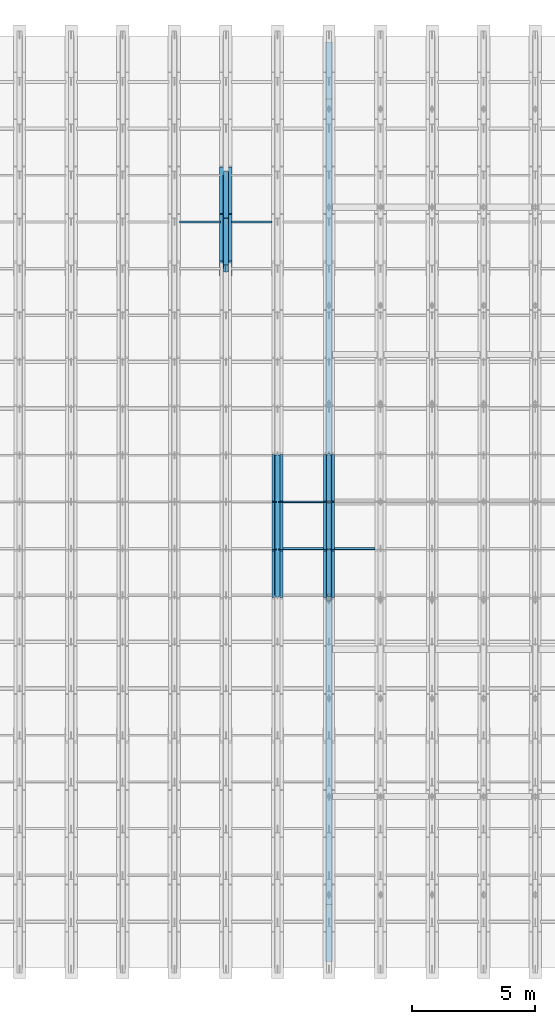
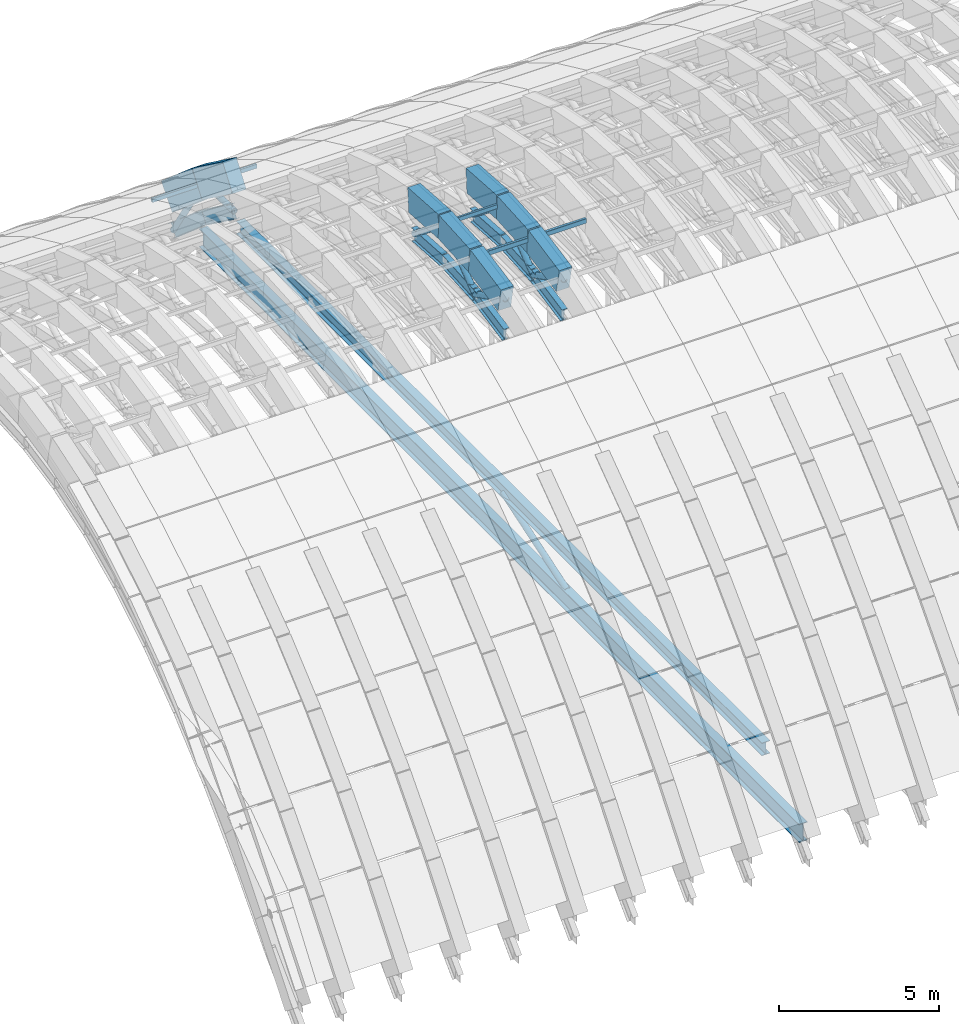
# One storey, part 15 of 67: 18 beams, 14 members.
"""IFC4 building model written with IfcOpenShell, lengths in metres."""

from ifc_helpers import new_model, si_unit, direction, frame, origin, origin_2d, place, context, subcontext, project, spatial, rectangle, hollow_rectangle, hollow_circle, i_section, extrude, material, material_profile, profile_set, type_object, element, save


model = new_model("IFC4")

# Units and contexts
model_context = context("Model", 3, precision=1e-05, world=origin(), true_north=direction((0.0, 1.0)))
body_context = subcontext(model_context, "Body", "Model", "MODEL_VIEW")
ifc_project = project(units=[si_unit("LENGTHUNIT", "METRE"), si_unit("AREAUNIT", "SQUARE_METRE"), si_unit("VOLUMEUNIT", "CUBIC_METRE"), si_unit("PLANEANGLEUNIT", "RADIAN"), si_unit("MASSUNIT", "GRAM", prefix="KILO")], contexts=[model_context])

# Site, building, storey
site_placement = place(None, origin())
site = spatial("IfcSite", under=ifc_project, at=site_placement, CompositionType="ELEMENT")
building_placement = place(site_placement, origin())
building = spatial("IfcBuilding", under=site, at=building_placement, Name="Shengluoqiao Park Theatre", CompositionType="ELEMENT")
storey_placement = place(building_placement, frame((0.0, 0.0, 28.60009765625)))
storey = spatial("IfcBuildingStorey", under=building, at=storey_placement, Name="Roof", CompositionType="ELEMENT", Elevation=28.60009765625)

# Beams
ifc_material_1 = material(Name="Concrete C50", Category="concrete")
ifc_material_profile_1 = material_profile(ifc_material_1, rectangle(XDim=0.4599609375, YDim=0.919921875, at=origin_2d()), Name="RC ARCH 460x920")
ifc_profile_set_1 = profile_set([ifc_material_profile_1], Name="Concrete C50")
beam_type_1 = type_object("IfcBeamType", Name="STR-BM-AR-4609", PredefinedType="BEAM", material=ifc_profile_set_1)
beam_1_placement = place(storey_placement, frame((61.199951171875, 91.199951171875, 2.075927734375), z_axis=(0.0, 0.980788534345, 0.195073962632), x_axis=(-1.0, 0.0, 0.0)))
element("IfcBeam", 1, at=beam_1_placement, inside=storey, type_object=beam_type_1, Name="Barrel-Shell Arch Rib R09-S09", PredefinedType="BEAM", context=body_context, shape_type="SweptSolid", body=[
    extrude(rectangle(XDim=0.4599609375, YDim=0.919921875, at=origin_2d()), origin(), (0.0, 0.0, 1.0), 1.937255859375),
])
for number, where, z_axis, x_axis, name in (
    (2, (61.199951171875, 93.10009765625, 2.453857421875), (0.0, 0.997808922354, 0.066161578506), (-1.0, 0.0, 0.0), "Barrel-Shell Arch Rib R09-S10"),
    (3, (61.199951171875, 95.0, 2.579833984375), (0.0, 0.997808922354, -0.066161578506), (-1.0, 0.0, 0.0), "Barrel-Shell Arch Rib R09-S11"),
):
    element("IfcBeam", number, at=place(storey_placement, frame(where, z_axis=z_axis, x_axis=x_axis)), inside=storey, type_object=beam_type_1, Name=name, PredefinedType="BEAM", context=body_context, shape_type="SweptSolid", body=[
        extrude(rectangle(XDim=0.4599609375, YDim=0.919921875, at=origin_2d()), origin(), (0.0, 0.0, 1.0), 1.904052734375),
    ])
beam_2_placement = place(storey_placement, frame((63.300048828125, 91.199951171875, 2.075927734375), z_axis=(0.0, 0.980788534345, 0.195073962632), x_axis=(-1.0, 0.0, 0.0)))
element("IfcBeam", 4, at=beam_2_placement, inside=storey, type_object=beam_type_1, Name="Barrel-Shell Arch Rib R10-S09", PredefinedType="BEAM", context=body_context, shape_type="SweptSolid", body=[
    extrude(rectangle(XDim=0.4599609375, YDim=0.919921875, at=origin_2d()), origin(), (0.0, 0.0, 1.0), 1.937255859375),
])
for number, where, z_axis, x_axis, name in (
    (5, (63.300048828125, 93.10009765625, 2.453857421875), (0.0, 0.997808922354, 0.066161578506), (-1.0, 0.0, 0.0), "Barrel-Shell Arch Rib R10-S10"),
    (6, (63.300048828125, 95.0, 2.579833984375), (0.0, 0.997808922354, -0.066161578506), (-1.0, 0.0, 0.0), "Barrel-Shell Arch Rib R10-S11"),
):
    element("IfcBeam", number, at=place(storey_placement, frame(where, z_axis=z_axis, x_axis=x_axis)), inside=storey, type_object=beam_type_1, Name=name, PredefinedType="BEAM", context=body_context, shape_type="SweptSolid", body=[
        extrude(rectangle(XDim=0.4599609375, YDim=0.919921875, at=origin_2d()), origin(), (0.0, 0.0, 1.0), 1.904052734375),
    ])
ifc_material_profile_2 = material_profile(ifc_material_1, rectangle(XDim=0.5, YDim=1.050048828125, at=origin_2d()), Name="RC ARCH 500x1050")
ifc_profile_set_2 = profile_set([ifc_material_profile_2], Name="Concrete C50")
beam_type_2 = type_object("IfcBeamType", Name="STR-BM-AR-5010", PredefinedType="BEAM", material=ifc_profile_set_2)
beam_3_placement = place(storey_placement, frame((59.10009765625, 104.5, -0.570068359375), z_axis=(0.0, 0.807877780345, -0.589350058985), x_axis=(-1.0, 0.0, 0.0)))
element("IfcBeam", 7, at=beam_3_placement, inside=storey, type_object=beam_type_2, Name="Barrel-Shell Arch Rib R08-S16", PredefinedType="BEAM", context=body_context, shape_type="SweptSolid", body=[
    extrude(rectangle(XDim=0.5, YDim=1.050048828125, at=origin_2d()), origin(), (0.0, 0.0, 1.0), 2.351806640625),
])
beam_4_placement = place(storey_placement, frame((59.10009765625, 106.39990234375, -1.9560546875), z_axis=(0.0, 0.757433195517, -0.652912669757), x_axis=(-1.0, 0.0, 0.0)))
element("IfcBeam", 8, at=beam_4_placement, inside=storey, type_object=beam_type_2, Name="Barrel-Shell Arch Rib R08-S17", PredefinedType="BEAM", context=body_context, shape_type="SweptSolid", body=[
    extrude(rectangle(XDim=0.5, YDim=1.050048828125, at=origin_2d()), origin(), (0.0, 0.0, 1.0), 2.508544921875),
])
ifc_material_2 = material(Name="Steel Q355", Category="steel")
ifc_material_profile_3 = material_profile(ifc_material_2, i_section(OverallWidth=0.300048828125, OverallDepth=0.488037109375, WebThickness=0.010986328125, FlangeThickness=0.01806640625, FilletRadius=0.02197265625, at=origin_2d()), Name="HM 488x300x11x18")
ifc_profile_set_3 = profile_set([ifc_material_profile_3], Name="Steel Q355")
beam_type_3 = type_object("IfcBeamType", Name="STR-BM-G-HM488", PredefinedType="BEAM", material=ifc_profile_set_3)
beam_5_placement = place(storey_placement, frame((63.300048828125, 78.60009765625, -8.150146484375), z_axis=(0.0, 1.0, 0.0), x_axis=(-1.0, 0.0, 0.0)))
element("IfcBeam", 9, at=beam_5_placement, inside=storey, type_object=beam_type_3, Name="Barrel-Shell Acoustic Tie Truss Top Chord 10", PredefinedType="BEAM", context=body_context, shape_type="SweptSolid", body=[
    extrude(i_section(OverallWidth=0.300048828125, OverallDepth=0.488037109375, WebThickness=0.010986328125, FlangeThickness=0.01806640625, FilletRadius=0.02197265625, at=origin_2d()), origin(), (0.0, 0.0, 1.0), 32.7998046875),
])
ifc_material_3 = material(Name="Steel Q390", Category="steel")
ifc_material_profile_4 = material_profile(ifc_material_3, i_section(OverallWidth=0.300048828125, OverallDepth=0.699951171875, WebThickness=0.012939453125, FlangeThickness=0.02392578125, FilletRadius=0.02392578125, at=origin_2d()), Name="HN 700x300x13x24")
ifc_profile_set_4 = profile_set([ifc_material_profile_4], Name="Steel Q390")
beam_type_4 = type_object("IfcBeamType", Name="STR-BM-G-HN700", PredefinedType="BEAM", material=ifc_profile_set_4)
beam_6_placement = place(storey_placement, frame((63.300048828125, 76.280029296875, -9.9501953125), z_axis=(0.0, 1.0, 0.0), x_axis=(-1.0, 0.0, 0.0)))
element("IfcBeam", 10, at=beam_6_placement, inside=storey, type_object=beam_type_4, Name="Barrel-Shell Acoustic Tie Truss Bottom Chord 10", PredefinedType="BEAM", context=body_context, shape_type="SweptSolid", body=[
    extrude(i_section(OverallWidth=0.300048828125, OverallDepth=0.699951171875, WebThickness=0.012939453125, FlangeThickness=0.02392578125, FilletRadius=0.02392578125, at=origin_2d()), origin(), (0.0, 0.0, 1.0), 37.43994140625),
])
ifc_material_profile_5 = material_profile(ifc_material_2, i_section(OverallWidth=0.199951171875, OverallDepth=0.5, WebThickness=0.010009765625, FlangeThickness=0.01611328125, FilletRadius=0.01806640625, at=origin_2d()), Name="HN 500x200x10x16")
ifc_profile_set_5 = profile_set([ifc_material_profile_5], Name="Steel Q355")
beam_type_5 = type_object("IfcBeamType", Name="STR-BM-J-HN500", PredefinedType="JOIST", material=ifc_profile_set_5)
beam_7_placement = place(storey_placement, frame((59.10009765625, 104.5, -1.93017578125), z_axis=(0.0, 0.807877780345, -0.589350058985), x_axis=(-1.0, 0.0, 0.0)))
element("IfcBeam", 11, at=beam_7_placement, inside=storey, type_object=beam_type_5, Name="Barrel-Shell Lower Arch Chord R08-S16", PredefinedType="JOIST", context=body_context, shape_type="SweptSolid", body=[
    extrude(i_section(OverallWidth=0.199951171875, OverallDepth=0.5, WebThickness=0.010009765625, FlangeThickness=0.01611328125, FilletRadius=0.01806640625, at=origin_2d()), origin(), (0.0, 0.0, 1.0), 2.351806640625),
])
beam_8_placement = place(storey_placement, frame((59.10009765625, 106.39990234375, -3.316162109375), z_axis=(0.0, 0.757433195517, -0.652912669757), x_axis=(-1.0, 0.0, 0.0)))
element("IfcBeam", 12, at=beam_8_placement, inside=storey, type_object=beam_type_5, Name="Barrel-Shell Lower Arch Chord R08-S17", PredefinedType="JOIST", context=body_context, shape_type="SweptSolid", body=[
    extrude(i_section(OverallWidth=0.199951171875, OverallDepth=0.5, WebThickness=0.010009765625, FlangeThickness=0.01611328125, FilletRadius=0.01806640625, at=origin_2d()), origin(), (0.0, 0.0, 1.0), 2.508544921875),
])
beam_9_placement = place(storey_placement, frame((61.199951171875, 91.199951171875, 0.7158203125), z_axis=(0.0, 0.980764417124, 0.19519517951), x_axis=(-1.0, 0.0, 0.0)))
element("IfcBeam", 13, at=beam_9_placement, inside=storey, type_object=beam_type_5, Name="Barrel-Shell Lower Arch Chord R09-S09", PredefinedType="JOIST", context=body_context, shape_type="SweptSolid", body=[
    extrude(i_section(OverallWidth=0.199951171875, OverallDepth=0.5, WebThickness=0.010009765625, FlangeThickness=0.01611328125, FilletRadius=0.01806640625, at=origin_2d()), origin(), (0.0, 0.0, 1.0), 1.9375),
])
for number, where, z_axis, x_axis, name in (
    (14, (61.199951171875, 93.10009765625, 1.093994140625), (0.0, 0.997808922354, 0.066161578506), (-1.0, 0.0, 0.0), "Barrel-Shell Lower Arch Chord R09-S10"),
    (15, (61.199951171875, 95.0, 1.219970703125), (0.0, 0.997808922354, -0.066161578506), (-1.0, 0.0, 0.0), "Barrel-Shell Lower Arch Chord R09-S11"),
):
    element("IfcBeam", number, at=place(storey_placement, frame(where, z_axis=z_axis, x_axis=x_axis)), inside=storey, type_object=beam_type_5, Name=name, PredefinedType="JOIST", context=body_context, shape_type="SweptSolid", body=[
        extrude(i_section(OverallWidth=0.199951171875, OverallDepth=0.5, WebThickness=0.010009765625, FlangeThickness=0.01611328125, FilletRadius=0.01806640625, at=origin_2d()), origin(), (0.0, 0.0, 1.0), 1.904052734375),
    ])
beam_10_placement = place(storey_placement, frame((63.300048828125, 91.199951171875, 0.7158203125), z_axis=(0.0, 0.980764417124, 0.19519517951), x_axis=(-1.0, 0.0, 0.0)))
element("IfcBeam", 16, at=beam_10_placement, inside=storey, type_object=beam_type_5, Name="Barrel-Shell Lower Arch Chord R10-S09", PredefinedType="JOIST", context=body_context, shape_type="SweptSolid", body=[
    extrude(i_section(OverallWidth=0.199951171875, OverallDepth=0.5, WebThickness=0.010009765625, FlangeThickness=0.01611328125, FilletRadius=0.01806640625, at=origin_2d()), origin(), (0.0, 0.0, 1.0), 1.9375),
])
for number, where, z_axis, x_axis, name in (
    (17, (63.300048828125, 93.10009765625, 1.093994140625), (0.0, 0.997808922354, 0.066161578506), (-1.0, 0.0, 0.0), "Barrel-Shell Lower Arch Chord R10-S10"),
    (18, (63.300048828125, 95.0, 1.219970703125), (0.0, 0.997808922354, -0.066161578506), (-1.0, 0.0, 0.0), "Barrel-Shell Lower Arch Chord R10-S11"),
):
    element("IfcBeam", number, at=place(storey_placement, frame(where, z_axis=z_axis, x_axis=x_axis)), inside=storey, type_object=beam_type_5, Name=name, PredefinedType="JOIST", context=body_context, shape_type="SweptSolid", body=[
        extrude(i_section(OverallWidth=0.199951171875, OverallDepth=0.5, WebThickness=0.010009765625, FlangeThickness=0.01611328125, FilletRadius=0.01806640625, at=origin_2d()), origin(), (0.0, 0.0, 1.0), 1.904052734375),
    ])

# Members
ifc_material_profile_6 = material_profile(ifc_material_2, hollow_circle(Radius=0.109619140625, WallThickness=0.010009765625, at=origin_2d()), Name="CHS 219x10")
ifc_profile_set_6 = profile_set([ifc_material_profile_6], Name="Steel Q355")
member_type_1 = type_object("IfcMemberType", Name="STR-MEM-BRC-219", PredefinedType="BRACE", material=ifc_profile_set_6)
member_1_placement = place(storey_placement, frame((59.10009765625, 104.5, -1.93017578125), z_axis=(0.0, 0.999907244674, -0.013619913639), x_axis=(-1.0, 0.0, 0.0)))
element("IfcMember", 19, at=member_1_placement, inside=storey, type_object=member_type_1, Name="Barrel-Shell Arch Truss Web 0156", PredefinedType="BRACE", context=body_context, shape_type="SweptSolid", body=[
    extrude(hollow_circle(Radius=0.109619140625, WallThickness=0.010009765625, at=origin_2d()), origin(), (0.0, 0.0, 1.0), 1.900146484375),
])
member_2_placement = place(storey_placement, frame((59.10009765625, 106.39990234375, -1.9560546875), z_axis=(0.0, 0.535330234694, -0.844642847494), x_axis=(-1.0, 0.0, 0.0)))
element("IfcMember", 20, at=member_2_placement, inside=storey, type_object=member_type_1, Name="Barrel-Shell Arch Truss Web 0157", PredefinedType="BRACE", context=body_context, shape_type="SweptSolid", body=[
    extrude(hollow_circle(Radius=0.109619140625, WallThickness=0.010009765625, at=origin_2d()), origin(), (0.0, 0.0, 1.0), 3.549560546875),
])
member_3_placement = place(storey_placement, frame((61.199951171875, 91.199951171875, 2.075927734375), z_axis=(0.0, 0.888389440766, -0.459090624535), x_axis=(-1.0, 0.0, 0.0)))
element("IfcMember", 21, at=member_3_placement, inside=storey, type_object=member_type_1, Name="Barrel-Shell Arch Truss Web 0169", PredefinedType="BRACE", context=body_context, shape_type="SweptSolid", body=[
    extrude(hollow_circle(Radius=0.109619140625, WallThickness=0.010009765625, at=origin_2d()), origin(), (0.0, 0.0, 1.0), 2.138916015625),
])
for number, where, z_axis, x_axis, name in (
    (22, (61.199951171875, 93.10009765625, 1.093994140625), (0.0, 0.787714283449, 0.616040751615), (-1.0, 0.0, 0.0), "Barrel-Shell Arch Truss Web 0170"),
    (23, (61.199951171875, 95.0, 2.579833984375), (0.0, 0.787714283449, -0.616040751615), (-1.0, 0.0, 0.0), "Barrel-Shell Arch Truss Web 0171"),
):
    element("IfcMember", number, at=place(storey_placement, frame(where, z_axis=z_axis, x_axis=x_axis)), inside=storey, type_object=member_type_1, Name=name, PredefinedType="BRACE", context=body_context, shape_type="SweptSolid", body=[
        extrude(hollow_circle(Radius=0.109619140625, WallThickness=0.010009765625, at=origin_2d()), origin(), (0.0, 0.0, 1.0), 2.411865234375),
    ])
member_4_placement = place(storey_placement, frame((63.300048828125, 91.199951171875, 2.075927734375), z_axis=(0.0, 0.888389440766, -0.459090624535), x_axis=(-1.0, 0.0, 0.0)))
element("IfcMember", 24, at=member_4_placement, inside=storey, type_object=member_type_1, Name="Barrel-Shell Arch Truss Web 0189", PredefinedType="BRACE", context=body_context, shape_type="SweptSolid", body=[
    extrude(hollow_circle(Radius=0.109619140625, WallThickness=0.010009765625, at=origin_2d()), origin(), (0.0, 0.0, 1.0), 2.138916015625),
])
for number, where, z_axis, x_axis, name in (
    (25, (63.300048828125, 93.10009765625, 1.093994140625), (0.0, 0.787714283449, 0.616040751615), (-1.0, 0.0, 0.0), "Barrel-Shell Arch Truss Web 0190"),
    (26, (63.300048828125, 95.0, 2.579833984375), (0.0, 0.787714283449, -0.616040751615), (-1.0, 0.0, 0.0), "Barrel-Shell Arch Truss Web 0191"),
):
    element("IfcMember", number, at=place(storey_placement, frame(where, z_axis=z_axis, x_axis=x_axis)), inside=storey, type_object=member_type_1, Name=name, PredefinedType="BRACE", context=body_context, shape_type="SweptSolid", body=[
        extrude(hollow_circle(Radius=0.109619140625, WallThickness=0.010009765625, at=origin_2d()), origin(), (0.0, 0.0, 1.0), 2.411865234375),
    ])
member_5_placement = place(storey_placement, frame((63.300048828125, 91.0, -9.650146484375), z_axis=(0.0, 0.951030656115, 0.309096572498), x_axis=(-1.0, 0.0, 0.0)))
element("IfcMember", 27, at=member_5_placement, inside=storey, type_object=member_type_1, Name="Acoustic Tie Truss Diagonal 0013", PredefinedType="BRACE", context=body_context, shape_type="SweptSolid", body=[
    extrude(hollow_circle(Radius=0.109619140625, WallThickness=0.010009765625, at=origin_2d()), origin(), (0.0, 0.0, 1.0), 4.2060546875),
])
ifc_material_profile_7 = material_profile(ifc_material_2, hollow_rectangle(XDim=0.080078125, YDim=0.159912109375, WallThickness=0.006103515625, InnerFilletRadius=0.006103515625, OuterFilletRadius=0.011962890625, at=origin_2d()), Name="RHS 160x80x6")
ifc_profile_set_7 = profile_set([ifc_material_profile_7], Name="Steel Q355")
member_type_2 = type_object("IfcMemberType", Name="STR-MEM-PU-R160", PredefinedType="PURLIN", material=ifc_profile_set_7)
for number, where, z_axis, x_axis, name in (
    (28, (57.219970703125, 106.39990234375, -2.006103515625), (1.0, 0.0, 0.0), (0.0, 1.0, 0.0), "Shell Longitudinal Purlin 0130"),
    (29, (59.320068359375, 106.39990234375, -2.006103515625), (1.0, 0.0, 0.0), (0.0, 1.0, 0.0), "Shell Longitudinal Purlin 0149"),
):
    element("IfcMember", number, at=place(storey_placement, frame(where, z_axis=z_axis, x_axis=x_axis)), inside=storey, type_object=member_type_2, Name=name, PredefinedType="PURLIN", context=body_context, shape_type="SweptSolid", body=[
        extrude(hollow_rectangle(XDim=0.080078125, YDim=0.159912109375, WallThickness=0.006103515625, InnerFilletRadius=0.006103515625, OuterFilletRadius=0.011962890625, at=origin_2d()), origin(), (0.0, 0.0, 1.0), 1.659912109375),
    ])
member_6_placement = place(storey_placement, frame((61.419921875, 95.0, 2.639892578125), z_axis=(1.0, 0.0, 0.0), x_axis=(0.0, 1.0, 0.0)))
element("IfcMember", 30, at=member_6_placement, inside=storey, type_object=member_type_2, Name="Shell Longitudinal Purlin 0162", PredefinedType="PURLIN", context=body_context, shape_type="SweptSolid", body=[
    extrude(hollow_rectangle(XDim=0.080078125, YDim=0.159912109375, WallThickness=0.006103515625, InnerFilletRadius=0.006103515625, OuterFilletRadius=0.011962890625, at=origin_2d()), origin(), (0.0, 0.0, 1.0), 1.66015625),
])
ifc_material_profile_8 = material_profile(ifc_material_2, hollow_rectangle(XDim=0.10009765625, YDim=0.179931640625, WallThickness=0.008056640625, InnerFilletRadius=0.008056640625, OuterFilletRadius=0.01611328125, at=origin_2d()), Name="RHS 180x100x8")
ifc_profile_set_8 = profile_set([ifc_material_profile_8], Name="Steel Q355")
member_type_3 = type_object("IfcMemberType", Name="STR-MEM-PU-R180", PredefinedType="PURLIN", material=ifc_profile_set_8)
member_7_placement = place(storey_placement, frame((61.419921875, 93.10009765625, 2.513916015625), z_axis=(1.0, 0.0, 0.0), x_axis=(0.0, 1.0, 0.0)))
element("IfcMember", 31, at=member_7_placement, inside=storey, type_object=member_type_3, Name="Shell Longitudinal Purlin 0161", PredefinedType="PURLIN", context=body_context, shape_type="SweptSolid", body=[
    extrude(hollow_rectangle(XDim=0.10009765625, YDim=0.179931640625, WallThickness=0.008056640625, InnerFilletRadius=0.008056640625, OuterFilletRadius=0.01611328125, at=origin_2d()), origin(), (0.0, 0.0, 1.0), 1.66015625),
])
member_8_placement = place(storey_placement, frame((63.52001953125, 93.10009765625, 2.513916015625), z_axis=(1.0, 0.0, 0.0), x_axis=(0.0, 1.0, 0.0)))
element("IfcMember", 32, at=member_8_placement, inside=storey, type_object=member_type_3, Name="Shell Longitudinal Purlin 0180", PredefinedType="PURLIN", context=body_context, shape_type="SweptSolid", body=[
    extrude(hollow_rectangle(XDim=0.10009765625, YDim=0.179931640625, WallThickness=0.008056640625, InnerFilletRadius=0.008056640625, OuterFilletRadius=0.01611328125, at=origin_2d()), origin(), (0.0, 0.0, 1.0), 1.659912109375),
])

save(model, "model.ifc")
